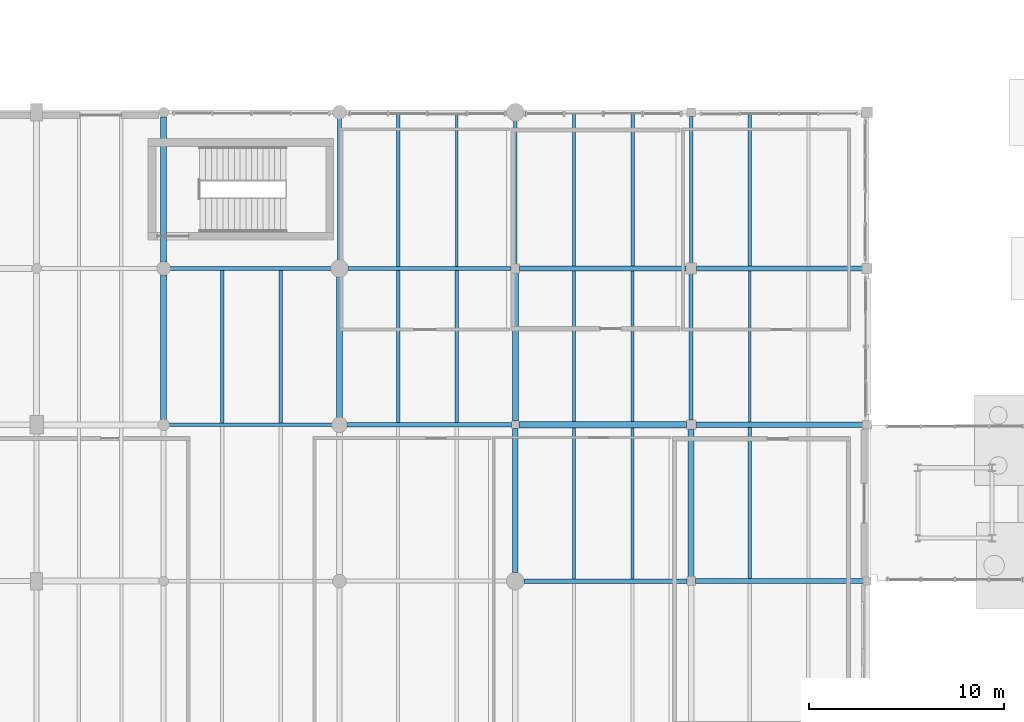
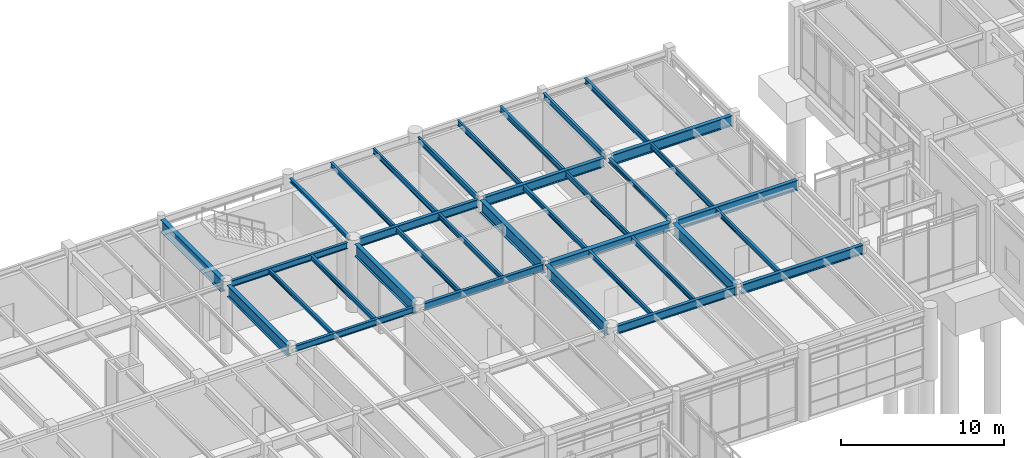
# One storey, part 93 of 203: 35 beams.
"""IFC4 building model written with IfcOpenShell, lengths in metres."""

from ifc_helpers import new_model, si_unit, direction, frame, origin, origin_2d, place, context, subcontext, project, spatial, i_section, extrude, material, material_profile, profile_set, type_object, element, save


model = new_model("IFC4")

# Units and contexts
model_context = context("Model", 3, precision=1e-05, world=origin(), true_north=direction((0.0, 1.0)))
body_context = subcontext(model_context, "Body", "Model", "MODEL_VIEW")
ifc_project = project(units=[si_unit("LENGTHUNIT", "METRE"), si_unit("AREAUNIT", "SQUARE_METRE"), si_unit("VOLUMEUNIT", "CUBIC_METRE"), si_unit("PLANEANGLEUNIT", "RADIAN"), si_unit("MASSUNIT", "GRAM", prefix="KILO"), si_unit("THERMODYNAMICTEMPERATUREUNIT", "KELVIN"), si_unit("POWERUNIT", "WATT")], contexts=[model_context])

# Site, building, storey
site_placement = place(None, origin())
site = spatial("IfcSite", under=ifc_project, at=site_placement, CompositionType="ELEMENT")
building_placement = place(site_placement, origin())
building = spatial("IfcBuilding", under=site, at=building_placement, Name="Tepalcoro Natatorium and Aquatics Centre", CompositionType="ELEMENT")
storey_placement = place(building_placement, origin())
storey = spatial("IfcBuildingStorey", under=building, at=storey_placement, Name="L00", CompositionType="ELEMENT", Elevation=0.0)

# Beams
ifc_material = material(Name="Steel ASTM A992 Grade 50 (Fy 345 MPa)", Category="steel")
ifc_material_profile_1 = material_profile(ifc_material, i_section(OverallWidth=0.202880859375, OverallDepth=0.304931640625, WebThickness=0.007080078125, FlangeThickness=0.012939453125, FilletRadius=0.013916015625, at=origin_2d()), Name="W12X40")
ifc_profile_set_1 = profile_set([ifc_material_profile_1], Name="Steel ASTM A992 Grade 50 (Fy 345 MPa)")
beam_type_1 = type_object("IfcBeamType", Name="BM_W12x40", PredefinedType="BEAM", material=ifc_profile_set_1)
beam_1_placement = place(storey_placement, frame((62.0, 110.43505859375, 4.992431640625), z_axis=(0.0, 1.0, 0.0), x_axis=(-1.0, 0.0, 0.0)))
element("IfcBeam", 1, at=beam_1_placement, inside=storey, type_object=beam_type_1, Name="V4 L00 Grid Girder Y", PredefinedType="BEAM", context=body_context, shape_type="SweptSolid", body=[
    extrude(i_section(OverallWidth=0.202880859375, OverallDepth=0.304931640625, WebThickness=0.007080078125, FlangeThickness=0.012939453125, FilletRadius=0.013916015625, at=origin_2d()), origin(), (0.0, 0.0, 1.0), 7.22998046875),
])
beam_2_placement = place(storey_placement, frame((80.0, 102.235107421875, 4.992431640625), z_axis=(0.0, 1.0, 0.0), x_axis=(-1.0, 0.0, 0.0)))
element("IfcBeam", 2, at=beam_2_placement, inside=storey, type_object=beam_type_1, Name="V4 L00 Grid Girder Y", PredefinedType="BEAM", context=body_context, shape_type="SweptSolid", body=[
    extrude(i_section(OverallWidth=0.202880859375, OverallDepth=0.304931640625, WebThickness=0.007080078125, FlangeThickness=0.012939453125, FilletRadius=0.013916015625, at=origin_2d()), origin(), (0.0, 0.0, 1.0), 7.5048828125),
])
ifc_material_profile_2 = material_profile(ifc_material, i_section(OverallWidth=0.177978515625, OverallDepth=0.406005859375, WebThickness=0.008056640625, FlangeThickness=0.012939453125, FilletRadius=0.013916015625, at=origin_2d()), Name="W16X40")
ifc_profile_set_2 = profile_set([ifc_material_profile_2], Name="Steel ASTM A992 Grade 50 (Fy 345 MPa)")
beam_type_2 = type_object("IfcBeamType", Name="BM_W16x40", PredefinedType="BEAM", material=ifc_profile_set_2)
beam_3_placement = place(storey_placement, frame((71.0, 110.2099609375, 4.94189453125), z_axis=(0.0, 1.0, 0.0), x_axis=(-1.0, 0.0, 0.0)))
element("IfcBeam", 3, at=beam_3_placement, inside=storey, type_object=beam_type_2, Name="V4 L00 Grid Girder Y", PredefinedType="BEAM", context=body_context, shape_type="SweptSolid", body=[
    extrude(i_section(OverallWidth=0.177978515625, OverallDepth=0.406005859375, WebThickness=0.008056640625, FlangeThickness=0.012939453125, FilletRadius=0.013916015625, at=origin_2d()), origin(), (0.0, 0.0, 1.0), 7.35498046875),
])
ifc_material_profile_3 = material_profile(ifc_material, i_section(OverallWidth=0.19091796875, OverallDepth=0.45703125, WebThickness=0.009033203125, FlangeThickness=0.013916015625, FilletRadius=0.013916015625, at=origin_2d()), Name="W18X50")
ifc_profile_set_3 = profile_set([ifc_material_profile_3], Name="Steel ASTM A992 Grade 50 (Fy 345 MPa)")
beam_type_3 = type_object("IfcBeamType", Name="BM_W18x50", PredefinedType="BEAM", material=ifc_profile_set_3)
beam_4_placement = place(storey_placement, frame((53.284912109375, 102.0, 4.91650390625), z_axis=(1.0, 0.0, 0.0), x_axis=(0.0, 1.0, 0.0)))
element("IfcBeam", 4, at=beam_4_placement, inside=storey, type_object=beam_type_3, Name="V4 L00 Grid Girder X", PredefinedType="BEAM", context=body_context, shape_type="SweptSolid", body=[
    extrude(i_section(OverallWidth=0.19091796875, OverallDepth=0.45703125, WebThickness=0.009033203125, FlangeThickness=0.013916015625, FilletRadius=0.013916015625, at=origin_2d()), origin(), (0.0, 0.0, 1.0), 8.330078125),
])
beam_5_placement = place(storey_placement, frame((80.0, 110.260009765625, 4.91650390625), z_axis=(0.0, 1.0, 0.0), x_axis=(-1.0, 0.0, 0.0)))
element("IfcBeam", 5, at=beam_5_placement, inside=storey, type_object=beam_type_3, Name="V4 L00 Grid Girder Y", PredefinedType="BEAM", context=body_context, shape_type="SweptSolid", body=[
    extrude(i_section(OverallWidth=0.19091796875, OverallDepth=0.45703125, WebThickness=0.009033203125, FlangeThickness=0.013916015625, FilletRadius=0.013916015625, at=origin_2d()), origin(), (0.0, 0.0, 1.0), 7.530029296875),
])
ifc_material_profile_4 = material_profile(ifc_material, i_section(OverallWidth=0.193115234375, OverallDepth=0.467041015625, WebThickness=0.010986328125, FlangeThickness=0.01904296875, FilletRadius=0.013916015625, at=origin_2d()), Name="W18X65")
ifc_profile_set_4 = profile_set([ifc_material_profile_4], Name="Steel ASTM A992 Grade 50 (Fy 345 MPa)")
beam_type_4 = type_object("IfcBeamType", Name="BM_W18x65", PredefinedType="BEAM", material=ifc_profile_set_4)
beam_6_placement = place(storey_placement, frame((53.3349609375, 110.0, 4.91162109375), z_axis=(1.0, 0.0, 0.0), x_axis=(0.0, 1.0, 0.0)))
element("IfcBeam", 6, at=beam_6_placement, inside=storey, type_object=beam_type_4, Name="V4 L00 Grid Girder X", PredefinedType="BEAM", context=body_context, shape_type="SweptSolid", body=[
    extrude(i_section(OverallWidth=0.193115234375, OverallDepth=0.467041015625, WebThickness=0.010986328125, FlangeThickness=0.01904296875, FilletRadius=0.013916015625, at=origin_2d()), origin(), (0.0, 0.0, 1.0), 8.22998046875),
])
ifc_material_profile_5 = material_profile(ifc_material, i_section(OverallWidth=0.2119140625, OverallDepth=0.5439453125, WebThickness=0.012939453125, FlangeThickness=0.02099609375, FilletRadius=0.013916015625, at=origin_2d()), Name="W21X83")
ifc_profile_set_5 = profile_set([ifc_material_profile_5], Name="Steel ASTM A992 Grade 50 (Fy 345 MPa)")
beam_type_5 = type_object("IfcBeamType", Name="BM_W21x83", PredefinedType="BEAM", material=ifc_profile_set_5)
beam_7_placement = place(storey_placement, frame((62.385009765625, 102.0, 4.873046875), z_axis=(1.0, 0.0, 0.0), x_axis=(0.0, 1.0, 0.0)))
element("IfcBeam", 7, at=beam_7_placement, inside=storey, type_object=beam_type_5, Name="V4 L00 Grid Girder X", PredefinedType="BEAM", context=body_context, shape_type="SweptSolid", body=[
    extrude(i_section(OverallWidth=0.2119140625, OverallDepth=0.5439453125, WebThickness=0.012939453125, FlangeThickness=0.02099609375, FilletRadius=0.013916015625, at=origin_2d()), origin(), (0.0, 0.0, 1.0), 8.429931640625),
])
ifc_material_profile_6 = material_profile(ifc_material, i_section(OverallWidth=0.324951171875, OverallDepth=0.616943359375, WebThickness=0.013916015625, FlangeThickness=0.02197265625, FilletRadius=0.013916015625, at=origin_2d()), Name="W24X117")
ifc_profile_set_6 = profile_set([ifc_material_profile_6], Name="Steel ASTM A992 Grade 50 (Fy 345 MPa)")
beam_type_6 = type_object("IfcBeamType", Name="BM_W24x117", PredefinedType="BEAM", material=ifc_profile_set_6)
beam_8_placement = place(storey_placement, frame((71.18505859375, 102.0, 4.83642578125), z_axis=(1.0, 0.0, 0.0), x_axis=(0.0, 1.0, 0.0)))
element("IfcBeam", 8, at=beam_8_placement, inside=storey, type_object=beam_type_6, Name="V4 L00 Grid Girder X", PredefinedType="BEAM", context=body_context, shape_type="SweptSolid", body=[
    extrude(i_section(OverallWidth=0.324951171875, OverallDepth=0.616943359375, WebThickness=0.013916015625, FlangeThickness=0.02197265625, FilletRadius=0.013916015625, at=origin_2d()), origin(), (0.0, 0.0, 1.0), 8.579833984375),
])
ifc_material_profile_7 = material_profile(ifc_material, i_section(OverallWidth=0.22802734375, OverallDepth=0.60693359375, WebThickness=0.010986328125, FlangeThickness=0.01708984375, FilletRadius=0.013916015625, at=origin_2d()), Name="W24X76")
ifc_profile_set_7 = profile_set([ifc_material_profile_7], Name="Steel ASTM A992 Grade 50 (Fy 345 MPa)")
beam_type_7 = type_object("IfcBeamType", Name="BM_W24x76", PredefinedType="BEAM", material=ifc_profile_set_7)
beam_9_placement = place(storey_placement, frame((62.43505859375, 110.0, 4.841552734375), z_axis=(1.0, 0.0, 0.0), x_axis=(0.0, 1.0, 0.0)))
element("IfcBeam", 9, at=beam_9_placement, inside=storey, type_object=beam_type_7, Name="V4 L00 Grid Girder X", PredefinedType="BEAM", context=body_context, shape_type="SweptSolid", body=[
    extrude(i_section(OverallWidth=0.22802734375, OverallDepth=0.60693359375, WebThickness=0.010986328125, FlangeThickness=0.01708984375, FilletRadius=0.013916015625, at=origin_2d()), origin(), (0.0, 0.0, 1.0), 8.35498046875),
])
ifc_material_profile_8 = material_profile(ifc_material, i_section(OverallWidth=0.22998046875, OverallDepth=0.616943359375, WebThickness=0.012939453125, FlangeThickness=0.02197265625, FilletRadius=0.013916015625, at=origin_2d()), Name="W24X94")
ifc_profile_set_8 = profile_set([ifc_material_profile_8], Name="Steel ASTM A992 Grade 50 (Fy 345 MPa)")
beam_type_8 = type_object("IfcBeamType", Name="BM_W24x94", PredefinedType="BEAM", material=ifc_profile_set_8)
beam_10_placement = place(storey_placement, frame((71.43505859375, 94.0, 4.83642578125), z_axis=(1.0, 0.0, 0.0), x_axis=(0.0, 1.0, 0.0)))
element("IfcBeam", 10, at=beam_10_placement, inside=storey, type_object=beam_type_8, Name="V4 L00 Grid Girder X", PredefinedType="BEAM", context=body_context, shape_type="SweptSolid", body=[
    extrude(i_section(OverallWidth=0.22998046875, OverallDepth=0.616943359375, WebThickness=0.012939453125, FlangeThickness=0.02197265625, FilletRadius=0.013916015625, at=origin_2d()), origin(), (0.0, 0.0, 1.0), 8.35498046875),
])
ifc_material_profile_9 = material_profile(ifc_material, i_section(OverallWidth=0.25390625, OverallDepth=0.68798828125, WebThickness=0.012939453125, FlangeThickness=0.02099609375, FilletRadius=0.013916015625, at=origin_2d()), Name="W27X102")
ifc_profile_set_9 = profile_set([ifc_material_profile_9], Name="Steel ASTM A992 Grade 50 (Fy 345 MPa)")
beam_type_9 = type_object("IfcBeamType", Name="BM_W27x102", PredefinedType="BEAM", material=ifc_profile_set_9)
beam_11_placement = place(storey_placement, frame((71.2099609375, 110.0, 4.801025390625), z_axis=(1.0, 0.0, 0.0), x_axis=(0.0, 1.0, 0.0)))
element("IfcBeam", 11, at=beam_11_placement, inside=storey, type_object=beam_type_9, Name="V4 L00 Grid Girder X", PredefinedType="BEAM", context=body_context, shape_type="SweptSolid", body=[
    extrude(i_section(OverallWidth=0.25390625, OverallDepth=0.68798828125, WebThickness=0.012939453125, FlangeThickness=0.02099609375, FilletRadius=0.013916015625, at=origin_2d()), origin(), (0.0, 0.0, 1.0), 8.530029296875),
])
ifc_material_profile_10 = material_profile(ifc_material, i_section(OverallWidth=0.25390625, OverallDepth=0.700927734375, WebThickness=0.014892578125, FlangeThickness=0.028076171875, FilletRadius=0.013916015625, at=origin_2d()), Name="W27X129")
ifc_profile_set_10 = profile_set([ifc_material_profile_10], Name="Steel ASTM A992 Grade 50 (Fy 345 MPa)")
beam_type_10 = type_object("IfcBeamType", Name="BM_W27x129", PredefinedType="BEAM", material=ifc_profile_set_10)
beam_12_placement = place(storey_placement, frame((80.2099609375, 94.0, 4.79443359375), z_axis=(1.0, 0.0, 0.0), x_axis=(0.0, 1.0, 0.0)))
element("IfcBeam", 12, at=beam_12_placement, inside=storey, type_object=beam_type_10, Name="V4 L00 Grid Girder X", PredefinedType="BEAM", context=body_context, shape_type="SweptSolid", body=[
    extrude(i_section(OverallWidth=0.25390625, OverallDepth=0.700927734375, WebThickness=0.014892578125, FlangeThickness=0.028076171875, FilletRadius=0.013916015625, at=origin_2d()), origin(), (0.0, 0.0, 1.0), 8.60498046875),
])
ifc_material_profile_11 = material_profile(ifc_material, i_section(OverallWidth=0.26708984375, OverallDepth=0.761962890625, WebThickness=0.013916015625, FlangeThickness=0.02197265625, FilletRadius=0.013916015625, at=origin_2d()), Name="W30X116")
ifc_profile_set_11 = profile_set([ifc_material_profile_11], Name="Steel ASTM A992 Grade 50 (Fy 345 MPa)")
beam_type_11 = type_object("IfcBeamType", Name="BM_W30x116", PredefinedType="BEAM", material=ifc_profile_set_11)
beam_13_placement = place(storey_placement, frame((80.235107421875, 102.0, 4.763916015625), z_axis=(1.0, 0.0, 0.0), x_axis=(0.0, 1.0, 0.0)))
element("IfcBeam", 13, at=beam_13_placement, inside=storey, type_object=beam_type_11, Name="V4 L00 Grid Girder X", PredefinedType="BEAM", context=body_context, shape_type="SweptSolid", body=[
    extrude(i_section(OverallWidth=0.26708984375, OverallDepth=0.761962890625, WebThickness=0.013916015625, FlangeThickness=0.02197265625, FilletRadius=0.013916015625, at=origin_2d()), origin(), (0.0, 0.0, 1.0), 8.554931640625),
])
ifc_material_profile_12 = material_profile(ifc_material, i_section(OverallWidth=0.26708984375, OverallDepth=0.780029296875, WebThickness=0.01708984375, FlangeThickness=0.030029296875, FilletRadius=0.013916015625, at=origin_2d()), Name="W30X148")
ifc_profile_set_12 = profile_set([ifc_material_profile_12], Name="Steel ASTM A992 Grade 50 (Fy 345 MPa)")
beam_type_12 = type_object("IfcBeamType", Name="BM_W30x148", PredefinedType="BEAM", material=ifc_profile_set_12)
beam_14_placement = place(storey_placement, frame((80.260009765625, 110.0, 4.7548828125), z_axis=(1.0, 0.0, 0.0), x_axis=(0.0, 1.0, 0.0)))
element("IfcBeam", 14, at=beam_14_placement, inside=storey, type_object=beam_type_12, Name="V4 L00 Grid Girder X", PredefinedType="BEAM", context=body_context, shape_type="SweptSolid", body=[
    extrude(i_section(OverallWidth=0.26708984375, OverallDepth=0.780029296875, WebThickness=0.01708984375, FlangeThickness=0.030029296875, FilletRadius=0.013916015625, at=origin_2d()), origin(), (0.0, 0.0, 1.0), 8.5048828125),
])
ifc_material_profile_13 = material_profile(ifc_material, i_section(OverallWidth=0.2919921875, OverallDepth=0.85888671875, WebThickness=0.01708984375, FlangeThickness=0.031005859375, FilletRadius=0.013916015625, at=origin_2d()), Name="W33X169")
ifc_profile_set_13 = profile_set([ifc_material_profile_13], Name="Steel ASTM A992 Grade 50 (Fy 345 MPa)")
beam_type_13 = type_object("IfcBeamType", Name="BM_W33x169", PredefinedType="BEAM", material=ifc_profile_set_13)
beam_15_placement = place(storey_placement, frame((53.0, 102.284912109375, 4.715576171875), z_axis=(0.0, 1.0, 0.0), x_axis=(-1.0, 0.0, 0.0)))
element("IfcBeam", 15, at=beam_15_placement, inside=storey, type_object=beam_type_13, Name="V4 L00 Grid Girder Y", PredefinedType="BEAM", context=body_context, shape_type="SweptSolid", body=[
    extrude(i_section(OverallWidth=0.2919921875, OverallDepth=0.85888671875, WebThickness=0.01708984375, FlangeThickness=0.031005859375, FilletRadius=0.013916015625, at=origin_2d()), origin(), (0.0, 0.0, 1.0), 7.380126953125),
])
beam_16_placement = place(storey_placement, frame((71.0, 94.43505859375, 4.715576171875), z_axis=(0.0, 1.0, 0.0), x_axis=(-1.0, 0.0, 0.0)))
element("IfcBeam", 16, at=beam_16_placement, inside=storey, type_object=beam_type_13, Name="V4 L00 Grid Girder Y", PredefinedType="BEAM", context=body_context, shape_type="SweptSolid", body=[
    extrude(i_section(OverallWidth=0.2919921875, OverallDepth=0.85888671875, WebThickness=0.01708984375, FlangeThickness=0.031005859375, FilletRadius=0.013916015625, at=origin_2d()), origin(), (0.0, 0.0, 1.0), 7.3798828125),
])
ifc_material_profile_14 = material_profile(ifc_material, i_section(OverallWidth=0.304931640625, OverallDepth=0.9189453125, WebThickness=0.01708984375, FlangeThickness=0.028076171875, FilletRadius=0.013916015625, at=origin_2d()), Name="W36X170")
ifc_profile_set_14 = profile_set([ifc_material_profile_14], Name="Steel ASTM A992 Grade 50 (Fy 345 MPa)")
beam_type_14 = type_object("IfcBeamType", Name="BM_W36x170", PredefinedType="BEAM", material=ifc_profile_set_14)
beam_17_placement = place(storey_placement, frame((62.0, 102.385009765625, 4.685546875), z_axis=(0.0, 1.0, 0.0), x_axis=(-1.0, 0.0, 0.0)))
element("IfcBeam", 17, at=beam_17_placement, inside=storey, type_object=beam_type_14, Name="V4 L00 Grid Girder Y", PredefinedType="BEAM", context=body_context, shape_type="SweptSolid", body=[
    extrude(i_section(OverallWidth=0.304931640625, OverallDepth=0.9189453125, WebThickness=0.01708984375, FlangeThickness=0.028076171875, FilletRadius=0.013916015625, at=origin_2d()), origin(), (0.0, 0.0, 1.0), 7.179931640625),
])
beam_18_placement = place(storey_placement, frame((80.0, 94.2099609375, 4.685546875), z_axis=(0.0, 1.0, 0.0), x_axis=(-1.0, 0.0, 0.0)))
element("IfcBeam", 18, at=beam_18_placement, inside=storey, type_object=beam_type_14, Name="V4 L00 Grid Girder Y", PredefinedType="BEAM", context=body_context, shape_type="SweptSolid", body=[
    extrude(i_section(OverallWidth=0.304931640625, OverallDepth=0.9189453125, WebThickness=0.01708984375, FlangeThickness=0.028076171875, FilletRadius=0.013916015625, at=origin_2d()), origin(), (0.0, 0.0, 1.0), 7.554931640625),
])
ifc_material_profile_15 = material_profile(ifc_material, i_section(OverallWidth=0.31005859375, OverallDepth=0.931884765625, WebThickness=0.02099609375, FlangeThickness=0.034912109375, FilletRadius=0.013916015625, at=origin_2d()), Name="W36X210")
ifc_profile_set_15 = profile_set([ifc_material_profile_15], Name="Steel ASTM A992 Grade 50 (Fy 345 MPa)")
beam_type_15 = type_object("IfcBeamType", Name="BM_W36x210", PredefinedType="BEAM", material=ifc_profile_set_15)
beam_19_placement = place(storey_placement, frame((53.0, 110.3349609375, 4.678955078125), z_axis=(0.0, 1.0, 0.0), x_axis=(-1.0, 0.0, 0.0)))
element("IfcBeam", 19, at=beam_19_placement, inside=storey, type_object=beam_type_15, Name="V4 L00 Grid Girder Y", PredefinedType="BEAM", context=body_context, shape_type="SweptSolid", body=[
    extrude(i_section(OverallWidth=0.31005859375, OverallDepth=0.931884765625, WebThickness=0.02099609375, FlangeThickness=0.034912109375, FilletRadius=0.013916015625, at=origin_2d()), origin(), (0.0, 0.0, 1.0), 7.429931640625),
])
beam_20_placement = place(storey_placement, frame((71.0, 102.18505859375, 4.678955078125), z_axis=(0.0, 1.0, 0.0), x_axis=(-1.0, 0.0, 0.0)))
element("IfcBeam", 20, at=beam_20_placement, inside=storey, type_object=beam_type_15, Name="V4 L00 Grid Girder Y", PredefinedType="BEAM", context=body_context, shape_type="SweptSolid", body=[
    extrude(i_section(OverallWidth=0.31005859375, OverallDepth=0.931884765625, WebThickness=0.02099609375, FlangeThickness=0.034912109375, FilletRadius=0.013916015625, at=origin_2d()), origin(), (0.0, 0.0, 1.0), 7.60498046875),
])
ifc_material_profile_16 = material_profile(ifc_material, i_section(OverallWidth=0.1669921875, OverallDepth=0.318115234375, WebThickness=0.008056640625, FlangeThickness=0.012939453125, FilletRadius=0.013916015625, at=origin_2d()), Name="W12X35")
ifc_profile_set_16 = profile_set([ifc_material_profile_16], Name="Steel ASTM A992 Grade 50 (Fy 345 MPa)")
beam_type_16 = type_object("IfcBeamType", Name="JS_W12x35", PredefinedType="JOIST", material=ifc_profile_set_16)
beam_21_placement = place(storey_placement, frame((56.0, 102.095458984375, 4.986083984375), z_axis=(0.0, 1.0, 0.0), x_axis=(-1.0, 0.0, 0.0)))
element("IfcBeam", 21, at=beam_21_placement, inside=storey, type_object=beam_type_16, Name="V4 L00 Floor Joist", PredefinedType="JOIST", context=body_context, shape_type="SweptSolid", body=[
    extrude(i_section(OverallWidth=0.1669921875, OverallDepth=0.318115234375, WebThickness=0.008056640625, FlangeThickness=0.012939453125, FilletRadius=0.013916015625, at=origin_2d()), origin(), (0.0, 0.0, 1.0), 7.80810546875),
])
ifc_material_profile_17 = material_profile(ifc_material, i_section(OverallWidth=0.1708984375, OverallDepth=0.35107421875, WebThickness=0.007080078125, FlangeThickness=0.010009765625, FilletRadius=0.013916015625, at=origin_2d()), Name="W14X30")
ifc_profile_set_17 = profile_set([ifc_material_profile_17], Name="Steel ASTM A992 Grade 50 (Fy 345 MPa)")
beam_type_17 = type_object("IfcBeamType", Name="JS_W14x30", PredefinedType="JOIST", material=ifc_profile_set_17)
beam_22_placement = place(storey_placement, frame((59.0, 102.095458984375, 4.969482421875), z_axis=(0.0, 1.0, 0.0), x_axis=(-1.0, 0.0, 0.0)))
element("IfcBeam", 22, at=beam_22_placement, inside=storey, type_object=beam_type_17, Name="V4 L00 Floor Joist", PredefinedType="JOIST", context=body_context, shape_type="SweptSolid", body=[
    extrude(i_section(OverallWidth=0.1708984375, OverallDepth=0.35107421875, WebThickness=0.007080078125, FlangeThickness=0.010009765625, FilletRadius=0.013916015625, at=origin_2d()), origin(), (0.0, 0.0, 1.0), 7.80810546875),
])
beam_23_placement = place(storey_placement, frame((65.0, 102.10595703125, 4.969482421875), z_axis=(0.0, 1.0, 0.0), x_axis=(-1.0, 0.0, 0.0)))
element("IfcBeam", 23, at=beam_23_placement, inside=storey, type_object=beam_type_17, Name="V4 L00 Floor Joist", PredefinedType="JOIST", context=body_context, shape_type="SweptSolid", body=[
    extrude(i_section(OverallWidth=0.1708984375, OverallDepth=0.35107421875, WebThickness=0.007080078125, FlangeThickness=0.010009765625, FilletRadius=0.013916015625, at=origin_2d()), origin(), (0.0, 0.0, 1.0), 7.780029296875),
])
beam_24_placement = place(storey_placement, frame((74.0, 94.114990234375, 4.969482421875), z_axis=(0.0, 1.0, 0.0), x_axis=(-1.0, 0.0, 0.0)))
element("IfcBeam", 24, at=beam_24_placement, inside=storey, type_object=beam_type_17, Name="V4 L00 Floor Joist", PredefinedType="JOIST", context=body_context, shape_type="SweptSolid", body=[
    extrude(i_section(OverallWidth=0.1708984375, OverallDepth=0.35107421875, WebThickness=0.007080078125, FlangeThickness=0.010009765625, FilletRadius=0.013916015625, at=origin_2d()), origin(), (0.0, 0.0, 1.0), 7.722412109375),
])
ifc_material_profile_18 = material_profile(ifc_material, i_section(OverallWidth=0.172119140625, OverallDepth=0.35791015625, WebThickness=0.008056640625, FlangeThickness=0.012939453125, FilletRadius=0.013916015625, at=origin_2d()), Name="W14X38")
ifc_profile_set_18 = profile_set([ifc_material_profile_18], Name="Steel ASTM A992 Grade 50 (Fy 345 MPa)")
beam_type_18 = type_object("IfcBeamType", Name="JS_W14x38", PredefinedType="JOIST", material=ifc_profile_set_18)
beam_25_placement = place(storey_placement, frame((68.0, 102.10595703125, 4.966064453125), z_axis=(0.0, 1.0, 0.0), x_axis=(-1.0, 0.0, 0.0)))
element("IfcBeam", 25, at=beam_25_placement, inside=storey, type_object=beam_type_18, Name="V4 L00 Floor Joist", PredefinedType="JOIST", context=body_context, shape_type="SweptSolid", body=[
    extrude(i_section(OverallWidth=0.172119140625, OverallDepth=0.35791015625, WebThickness=0.008056640625, FlangeThickness=0.012939453125, FilletRadius=0.013916015625, at=origin_2d()), origin(), (0.0, 0.0, 1.0), 7.780029296875),
])
beam_26_placement = place(storey_placement, frame((65.0, 110.114013671875, 4.966064453125), z_axis=(0.0, 1.0, 0.0), x_axis=(-1.0, 0.0, 0.0)))
element("IfcBeam", 26, at=beam_26_placement, inside=storey, type_object=beam_type_18, Name="V4 L00 Floor Joist", PredefinedType="JOIST", context=body_context, shape_type="SweptSolid", body=[
    extrude(i_section(OverallWidth=0.172119140625, OverallDepth=0.35791015625, WebThickness=0.008056640625, FlangeThickness=0.012939453125, FilletRadius=0.013916015625, at=origin_2d()), origin(), (0.0, 0.0, 1.0), 7.771484375),
])
beam_27_placement = place(storey_placement, frame((77.0, 94.114990234375, 4.966064453125), z_axis=(0.0, 1.0, 0.0), x_axis=(-1.0, 0.0, 0.0)))
element("IfcBeam", 27, at=beam_27_placement, inside=storey, type_object=beam_type_18, Name="V4 L00 Floor Joist", PredefinedType="JOIST", context=body_context, shape_type="SweptSolid", body=[
    extrude(i_section(OverallWidth=0.172119140625, OverallDepth=0.35791015625, WebThickness=0.008056640625, FlangeThickness=0.012939453125, FilletRadius=0.013916015625, at=origin_2d()), origin(), (0.0, 0.0, 1.0), 7.722412109375),
])
beam_28_placement = place(storey_placement, frame((74.0, 102.16259765625, 4.966064453125), z_axis=(0.0, 1.0, 0.0), x_axis=(-1.0, 0.0, 0.0)))
element("IfcBeam", 28, at=beam_28_placement, inside=storey, type_object=beam_type_18, Name="V4 L00 Floor Joist", PredefinedType="JOIST", context=body_context, shape_type="SweptSolid", body=[
    extrude(i_section(OverallWidth=0.172119140625, OverallDepth=0.35791015625, WebThickness=0.008056640625, FlangeThickness=0.012939453125, FilletRadius=0.013916015625, at=origin_2d()), origin(), (0.0, 0.0, 1.0), 7.71044921875),
])
beam_29_placement = place(storey_placement, frame((83.0, 94.126953125, 4.966064453125), z_axis=(0.0, 1.0, 0.0), x_axis=(-1.0, 0.0, 0.0)))
element("IfcBeam", 29, at=beam_29_placement, inside=storey, type_object=beam_type_18, Name="V4 L00 Floor Joist", PredefinedType="JOIST", context=body_context, shape_type="SweptSolid", body=[
    extrude(i_section(OverallWidth=0.172119140625, OverallDepth=0.35791015625, WebThickness=0.008056640625, FlangeThickness=0.012939453125, FilletRadius=0.013916015625, at=origin_2d()), origin(), (0.0, 0.0, 1.0), 7.739501953125),
])
ifc_material_profile_19 = material_profile(ifc_material, i_section(OverallWidth=0.139892578125, OverallDepth=0.404052734375, WebThickness=0.007080078125, FlangeThickness=0.010986328125, FilletRadius=0.013916015625, at=origin_2d()), Name="W16X31")
ifc_profile_set_19 = profile_set([ifc_material_profile_19], Name="Steel ASTM A992 Grade 50 (Fy 345 MPa)")
beam_type_19 = type_object("IfcBeamType", Name="JS_W16x31", PredefinedType="JOIST", material=ifc_profile_set_19)
beam_30_placement = place(storey_placement, frame((68.0, 110.114013671875, 4.943115234375), z_axis=(0.0, 1.0, 0.0), x_axis=(-1.0, 0.0, 0.0)))
element("IfcBeam", 30, at=beam_30_placement, inside=storey, type_object=beam_type_19, Name="V4 L00 Floor Joist", PredefinedType="JOIST", context=body_context, shape_type="SweptSolid", body=[
    extrude(i_section(OverallWidth=0.139892578125, OverallDepth=0.404052734375, WebThickness=0.007080078125, FlangeThickness=0.010986328125, FilletRadius=0.013916015625, at=origin_2d()), origin(), (0.0, 0.0, 1.0), 7.771484375),
])
beam_31_placement = place(storey_placement, frame((77.0, 102.16259765625, 4.943115234375), z_axis=(0.0, 1.0, 0.0), x_axis=(-1.0, 0.0, 0.0)))
element("IfcBeam", 31, at=beam_31_placement, inside=storey, type_object=beam_type_19, Name="V4 L00 Floor Joist", PredefinedType="JOIST", context=body_context, shape_type="SweptSolid", body=[
    extrude(i_section(OverallWidth=0.139892578125, OverallDepth=0.404052734375, WebThickness=0.007080078125, FlangeThickness=0.010986328125, FilletRadius=0.013916015625, at=origin_2d()), origin(), (0.0, 0.0, 1.0), 7.71044921875),
])
beam_32_placement = place(storey_placement, frame((74.0, 110.126953125, 4.943115234375), z_axis=(0.0, 1.0, 0.0), x_axis=(-1.0, 0.0, 0.0)))
element("IfcBeam", 32, at=beam_32_placement, inside=storey, type_object=beam_type_19, Name="V4 L00 Floor Joist", PredefinedType="JOIST", context=body_context, shape_type="SweptSolid", body=[
    extrude(i_section(OverallWidth=0.139892578125, OverallDepth=0.404052734375, WebThickness=0.007080078125, FlangeThickness=0.010986328125, FilletRadius=0.013916015625, at=origin_2d()), origin(), (0.0, 0.0, 1.0), 7.782958984375),
])
beam_33_placement = place(storey_placement, frame((83.0, 102.133544921875, 4.943115234375), z_axis=(0.0, 1.0, 0.0), x_axis=(-1.0, 0.0, 0.0)))
element("IfcBeam", 33, at=beam_33_placement, inside=storey, type_object=beam_type_19, Name="V4 L00 Floor Joist", PredefinedType="JOIST", context=body_context, shape_type="SweptSolid", body=[
    extrude(i_section(OverallWidth=0.139892578125, OverallDepth=0.404052734375, WebThickness=0.007080078125, FlangeThickness=0.010986328125, FilletRadius=0.013916015625, at=origin_2d()), origin(), (0.0, 0.0, 1.0), 7.73291015625),
])
ifc_material_profile_20 = material_profile(ifc_material, i_section(OverallWidth=0.178955078125, OverallDepth=0.409912109375, WebThickness=0.009033203125, FlangeThickness=0.013916015625, FilletRadius=0.013916015625, at=origin_2d()), Name="W16X45")
ifc_profile_set_20 = profile_set([ifc_material_profile_20], Name="Steel ASTM A992 Grade 50 (Fy 345 MPa)")
beam_type_20 = type_object("IfcBeamType", Name="JS_W16x45", PredefinedType="JOIST", material=ifc_profile_set_20)
beam_34_placement = place(storey_placement, frame((77.0, 110.126953125, 4.93994140625), z_axis=(0.0, 1.0, 0.0), x_axis=(-1.0, 0.0, 0.0)))
element("IfcBeam", 34, at=beam_34_placement, inside=storey, type_object=beam_type_20, Name="V4 L00 Floor Joist", PredefinedType="JOIST", context=body_context, shape_type="SweptSolid", body=[
    extrude(i_section(OverallWidth=0.178955078125, OverallDepth=0.409912109375, WebThickness=0.009033203125, FlangeThickness=0.013916015625, FilletRadius=0.013916015625, at=origin_2d()), origin(), (0.0, 0.0, 1.0), 7.782958984375),
])
beam_35_placement = place(storey_placement, frame((83.0, 110.133544921875, 4.93994140625), z_axis=(0.0, 1.0, 0.0), x_axis=(-1.0, 0.0, 0.0)))
element("IfcBeam", 35, at=beam_35_placement, inside=storey, type_object=beam_type_20, Name="V4 L00 Floor Joist", PredefinedType="JOIST", context=body_context, shape_type="SweptSolid", body=[
    extrude(i_section(OverallWidth=0.178955078125, OverallDepth=0.409912109375, WebThickness=0.009033203125, FlangeThickness=0.013916015625, FilletRadius=0.013916015625, at=origin_2d()), origin(), (0.0, 0.0, 1.0), 7.77099609375),
])

save(model, "model.ifc")
